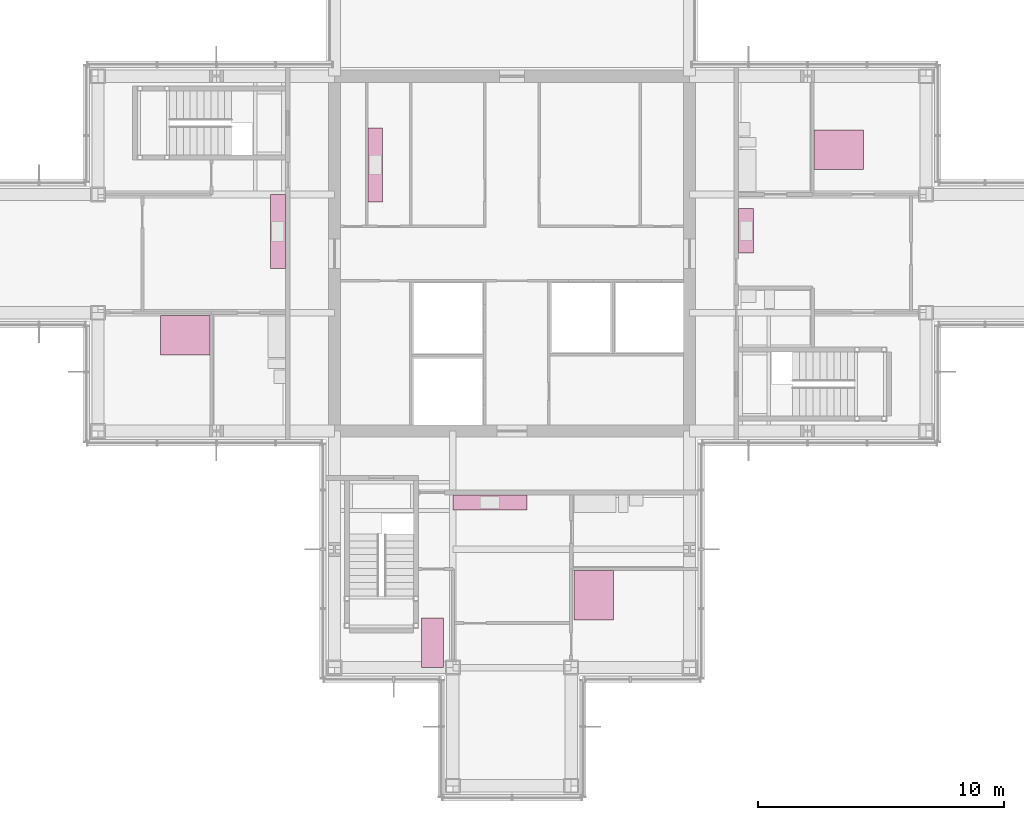
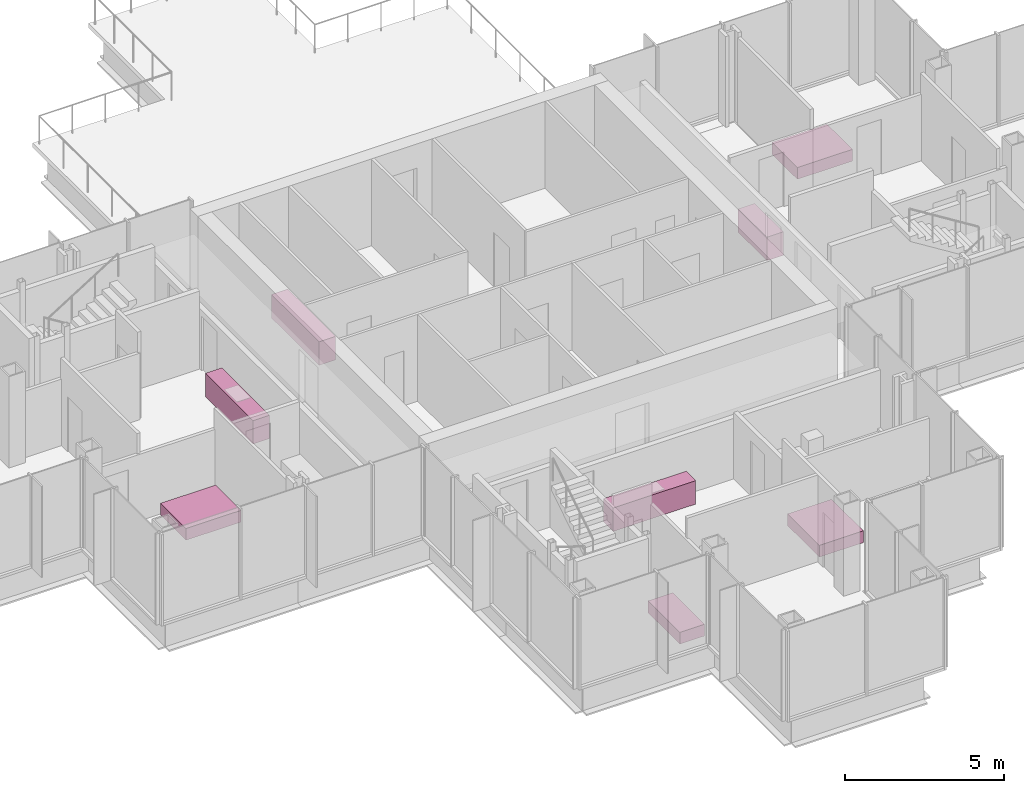
# One storey, part 14 of 14: 8 furniture elements.
"""IFC4 building model written with IfcOpenShell, lengths in metres."""

import ifcopenshell
import ifcopenshell.guid

model = None  # the IFC model being written
_history = None  # IfcOwnerHistory: only IFC2X3 demands one
_inside = {}  # id of a spatial element -> (the spatial element, [elements in it])
_under = {}  # id of a project, library or spatial element -> (it, [spatial elements below it])
_declared = {}  # id of a project -> (the project, [libraries it declares])
_typed = {}  # id of a type object -> (the type object, [elements of that type])
_made_of = {}  # id of a material, layer set ... -> (it, [elements and type objects made of it])


def new_model(schema):
    """Start an empty IFC model of exactly this schema.

    Asked for "IFC4X3", IfcOpenShell would pick the latest addendum, in which some entities
    have other attributes; the version numbers below select the first issue.
    IFC2X3 requires an IfcOwnerHistory on every rooted entity: one is made here for all.
    """
    global model, _history
    if schema == "IFC4X3":
        model = ifcopenshell.file(schema_version=(4, 3, 0, 0))
    else:
        model = ifcopenshell.file(schema=schema)
    _inside.clear()
    _under.clear()
    _declared.clear()
    _typed.clear()
    _made_of.clear()
    _history = None
    if model.schema == "IFC2X3":
        org = make("IfcOrganization", Name="unknown")
        user = make(
            "IfcPersonAndOrganization",
            ThePerson=make("IfcPerson", FamilyName="unknown"),
            TheOrganization=org,
        )
        app = make(
            "IfcApplication",
            ApplicationDeveloper=org,
            Version="unknown",
            ApplicationFullName="unknown",
            ApplicationIdentifier="unknown",
        )
        _history = make(
            "IfcOwnerHistory",
            OwningUser=user,
            OwningApplication=app,
            ChangeAction="ADDED",
            CreationDate=0,
        )
    return model


def make(cls, **values):
    """One entity of the class cls with the attributes given. An attribute that is None is left unset."""
    return model.create_entity(
        cls, **{name: value for name, value in values.items() if value is not None}
    )


def rooted(cls, **values):
    """An entity with a GlobalId (a new one), such as an element, a storey or a relation."""
    return make(cls, GlobalId=ifcopenshell.guid.new(), OwnerHistory=_history, **values)


def si_unit(unit_type, name, prefix=None):
    """IfcSIUnit, for example si_unit("LENGTHUNIT", "METRE", prefix="MILLI")."""
    return make("IfcSIUnit", UnitType=unit_type, Prefix=prefix, Name=name)


def assignment(units):
    """IfcUnitAssignment: the units of a project."""
    return None if units is None else make("IfcUnitAssignment", Units=units)


def point(xyz):
    """IfcCartesianPoint."""
    return None if xyz is None else make("IfcCartesianPoint", Coordinates=xyz)


def direction(xyz):
    """IfcDirection."""
    return None if xyz is None else make("IfcDirection", DirectionRatios=xyz)


def frame(location, z_axis=None, x_axis=None):
    """IfcAxis2Placement3D, a coordinate frame: its origin and axes. An axis left out is left unset."""
    return make(
        "IfcAxis2Placement3D",
        Location=point(location),
        Axis=direction(z_axis),
        RefDirection=direction(x_axis),
    )


def frame_2d(location, x_axis=None):
    """IfcAxis2Placement2D, a coordinate frame in the plane: its origin and x axis."""
    return make(
        "IfcAxis2Placement2D", Location=point(location), RefDirection=direction(x_axis)
    )


def origin():
    """The frame at (0, 0, 0) with its axes left unset."""
    return frame((0.0, 0.0, 0.0))


def origin_2d():
    """The frame at (0, 0) in the plane with its x axis left unset."""
    return frame_2d((0.0, 0.0))


def place(relative_to, where):
    """IfcLocalPlacement: puts the frame where relative to a parent placement (None: the world)."""
    return make(
        "IfcLocalPlacement", PlacementRelTo=relative_to, RelativePlacement=where
    )


def context(
    kind, dimensions, precision=None, world=None, true_north=None, identifier=None
):
    """IfcGeometricRepresentationContext, for example the 3D "Model" context."""
    return make(
        "IfcGeometricRepresentationContext",
        ContextIdentifier=identifier,
        ContextType=kind,
        CoordinateSpaceDimension=dimensions,
        Precision=precision,
        WorldCoordinateSystem=world,
        TrueNorth=true_north,
    )


def subcontext(parent, identifier, kind, view, scale=None):
    """IfcGeometricRepresentationSubContext, for example "Body" below "Model"."""
    return make(
        "IfcGeometricRepresentationSubContext",
        ContextIdentifier=identifier,
        ContextType=kind,
        ParentContext=parent,
        TargetScale=scale,
        TargetView=view,
    )


def project(units=None, contexts=None):
    """IfcProject with its units and contexts."""
    return rooted(
        "IfcProject",
        Name="project",
        RepresentationContexts=contexts,
        UnitsInContext=assignment(units),
    )


def spatial(cls, under=None, at=None, **own):
    """A site, building, storey or space (cls), placed at a placement, below another one or the project."""
    s = rooted(cls, ObjectPlacement=at, **own)
    if under is not None:
        _under.setdefault(under.id(), (under, []))[1].append(s)
    return s


def profile(cls, at=None, kind="AREA", **sizes):
    """A parametric profile (cls). Its sizes go by their IFC names, for example OverallWidth=200.0."""
    return make(cls, ProfileType=kind, Position=at, **sizes)


def rectangle(**sizes):
    """IfcRectangleProfileDef."""
    return profile("IfcRectangleProfileDef", **sizes)


def extrude(swept, where, along, depth):
    """IfcExtrudedAreaSolid: the profile swept, set in the frame where, extruded along a direction by depth."""
    return make(
        "IfcExtrudedAreaSolid",
        SweptArea=swept,
        Position=where,
        ExtrudedDirection=direction(along),
        Depth=depth,
    )


def shape(context_of_items, identifier, shape_type, items):
    """IfcShapeRepresentation: the items that make up one representation, for example the "Body"."""
    return make(
        "IfcShapeRepresentation",
        ContextOfItems=context_of_items,
        RepresentationIdentifier=identifier,
        RepresentationType=shape_type,
        Items=items,
    )


def material(Name=None, Category=None):
    """IfcMaterial."""
    return make("IfcMaterial", Name=Name, Category=Category)


def made_of(thing, what):
    """Note that an element or type object is made of a material, layer set ...; save() writes the relation."""
    if what is not None:
        _made_of.setdefault(what.id(), (what, []))[1].append(thing)
    return thing


def type_object(cls, material=None, **own):
    """A type object (cls), such as IfcWallType, which elements share."""
    return made_of(rooted(cls, **own), material)


def element(
    cls,
    number,
    at=None,
    inside=None,
    cuts=None,
    type_object=None,
    material=None,
    context=None,
    identifier="Body",
    shape_type=None,
    held_by="IfcProductDefinitionShape",
    body=None,
    shapes=None,
    **own,
):
    """One element of the class cls, such as IfcWall. Its Tag is "e" and its number.

    at: its placement. inside: the storey or other place that contains it. cuts: it is an
    opening in that element (IfcRelVoidsElement). A single representation is given by context,
    identifier, shape_type and body (its items); several are given by shapes. held_by: the class
    of the entity that holds the representations. save() writes the other relations.
    """
    e = rooted(cls, Tag="e%d" % number, ObjectPlacement=at, **own)
    if body is not None:
        shapes = [shape(context, identifier, shape_type, body)]
    if shapes is not None:
        e.Representation = make(held_by, Representations=shapes)
    if inside is not None:
        _inside.setdefault(inside.id(), (inside, []))[1].append(e)
    if cuts is not None:
        rooted(
            "IfcRelVoidsElement", RelatingBuildingElement=cuts, RelatedOpeningElement=e
        )
    if type_object is not None:
        _typed.setdefault(type_object.id(), (type_object, []))[1].append(e)
    return made_of(e, material)


def aggregate(whole, parts):
    """IfcRelAggregates: a whole, such as a stair, and the parts it consists of."""
    return rooted("IfcRelAggregates", RelatingObject=whole, RelatedObjects=parts)


def save(model, path):
    """Write the relations noted so far, then the file.

    IfcRelAggregates (storeys below a building ...), IfcRelContainedInSpatialStructure (elements
    in a storey), IfcRelDefinesByType, IfcRelAssociatesMaterial and IfcRelDeclares: one each for
    every whole, place, type object, material and project.
    """
    for whole, parts in _under.values():
        aggregate(whole, parts)
    for where, things in _inside.values():
        rooted(
            "IfcRelContainedInSpatialStructure",
            RelatedElements=things,
            RelatingStructure=where,
        )
    for kind, things in _typed.values():
        rooted("IfcRelDefinesByType", RelatedObjects=things, RelatingType=kind)
    for what, things in _made_of.values():
        rooted("IfcRelAssociatesMaterial", RelatedObjects=things, RelatingMaterial=what)
    for by, libraries in _declared.values():
        rooted("IfcRelDeclares", RelatingContext=by, RelatedDefinitions=libraries)
    model.write(path)


model = new_model("IFC4")

# Units and contexts
model_context = context("Model", 3, precision=1e-05, world=origin(), true_north=direction((0.0, 1.0)))
body_context = subcontext(model_context, "Body", "Model", "MODEL_VIEW")
ifc_project = project(units=[si_unit("LENGTHUNIT", "METRE"), si_unit("AREAUNIT", "SQUARE_METRE"), si_unit("VOLUMEUNIT", "CUBIC_METRE"), si_unit("PLANEANGLEUNIT", "RADIAN"), si_unit("MASSUNIT", "GRAM", prefix="KILO")], contexts=[model_context])

# Site, building, storey
site_placement = place(None, origin())
site = spatial("IfcSite", under=ifc_project, at=site_placement, CompositionType="ELEMENT")
building_placement = place(site_placement, origin())
building = spatial("IfcBuilding", under=site, at=building_placement, Name="Kvirike Care Tower", CompositionType="ELEMENT")
storey_placement = place(building_placement, frame((0.0, 0.0, 194.5)))
storey = spatial("IfcBuildingStorey", under=building, at=storey_placement, Name="L53", CompositionType="ELEMENT", Elevation=194.5)

# Furniture
ifc_material_1 = material(Name="Timber", Category="wood")
furniture_type_1 = type_object("IfcFurnitureType", Name="DOUBLE BED 1600 x 2000", AssemblyPlace="FACTORY", PredefinedType="BED", material=ifc_material_1)
for number, where, z_axis, x_axis, name in (
    (1, (8.337890625, 32.68994140625, 0.0), (0.0, 0.0, 1.0), (0.0, -1.0, 0.0), "Double bed L53-005"),
    (2, (24.909912109375, 22.137939453125, 0.0), (0.0, 0.0, 1.0), (1.0, 0.0, 0.0), "Double bed L53-012"),
    (3, (34.862060546875, 40.2099609375, 0.0), (0.0, 0.0, 1.0), (0.0, 1.0, 0.0), "Double bed L53-019"),
):
    element("IfcFurniture", number, at=place(storey_placement, frame(where, z_axis=z_axis, x_axis=x_axis)), inside=storey, type_object=furniture_type_1, Name=name, PredefinedType="BED", context=body_context, shape_type="SweptSolid", body=[
        extrude(rectangle(XDim=1.60009765625, YDim=2.0, at=origin_2d()), origin(), (0.0, 0.0, 1.0), 0.449951171875),
    ])
ifc_material_2 = material(Name="Laminated board", Category="wood")
furniture_type_2 = type_object("IfcFurnitureType", Name="KITCHEN UNIT RUN 600", AssemblyPlace="FACTORY", PredefinedType="USERDEFINED", material=ifc_material_2)
for number, where, z_axis, x_axis, name in (
    (4, (12.097900390625, 36.89990234375, 0.0), (0.0, 0.0, 1.0), (0.0, -1.0, 0.0), "Kitchen unit run L53-007"),
    (5, (20.699951171875, 25.89794921875, 0.0), (0.0, 0.0, 1.0), (1.0, 0.0, 0.0), "Kitchen unit run L53-014"),
):
    element("IfcFurniture", number, at=place(storey_placement, frame(where, z_axis=z_axis, x_axis=x_axis)), inside=storey, type_object=furniture_type_2, Name=name, ObjectType="KITCHEN UNIT", PredefinedType="USERDEFINED", context=body_context, shape_type="SweptSolid", body=[
        extrude(rectangle(XDim=3.0, YDim=0.60009765625, at=origin_2d()), origin(), (0.0, 0.0, 1.0), 0.89990234375),
    ])
furniture_1_placement = place(storey_placement, frame((31.10205078125, 36.925048828125, 0.0), z_axis=(0.0, 0.0, 1.0), x_axis=(0.0, 1.0, 0.0)))
element("IfcFurniture", 6, at=furniture_1_placement, inside=storey, type_object=furniture_type_2, Name="Kitchen unit run L53-022", ObjectType="KITCHEN UNIT", PredefinedType="USERDEFINED", context=body_context, shape_type="SweptSolid", body=[
    extrude(rectangle(XDim=1.800048828125, YDim=0.60009765625, at=origin_2d()), origin(), (0.0, 0.0, 1.0), 0.89990234375),
])
furniture_2_placement = place(storey_placement, frame((16.052001953125, 39.60009765625, 0.0), z_axis=(0.0, 0.0, 1.0), x_axis=(0.0, 1.0, 0.0)))
element("IfcFurniture", 7, at=furniture_2_placement, inside=storey, type_object=furniture_type_2, Name="Kitchen unit run L53-029", ObjectType="KITCHEN UNIT", PredefinedType="USERDEFINED", context=body_context, shape_type="SweptSolid", body=[
    extrude(rectangle(XDim=3.0, YDim=0.60009765625, at=origin_2d()), origin(), (0.0, 0.0, 1.0), 0.89990234375),
])
ifc_material_3 = material(Name="Timber", Category="wood")
furniture_type_3 = type_object("IfcFurnitureType", Name="SINGLE BED 900 x 2000", AssemblyPlace="FACTORY", PredefinedType="BED", material=ifc_material_3)
furniture_3_placement = place(storey_placement, frame((18.3798828125, 20.201904296875, 0.0), z_axis=(0.0, 0.0, 1.0), x_axis=(-1.0, 0.0, 0.0)))
element("IfcFurniture", 8, at=furniture_3_placement, inside=storey, type_object=furniture_type_3, Name="Single bed L53-010", PredefinedType="BED", context=body_context, shape_type="SweptSolid", body=[
    extrude(rectangle(XDim=0.89990234375, YDim=2.0, at=origin_2d()), origin(), (0.0, 0.0, 1.0), 0.449951171875),
])

save(model, "model.ifc")
